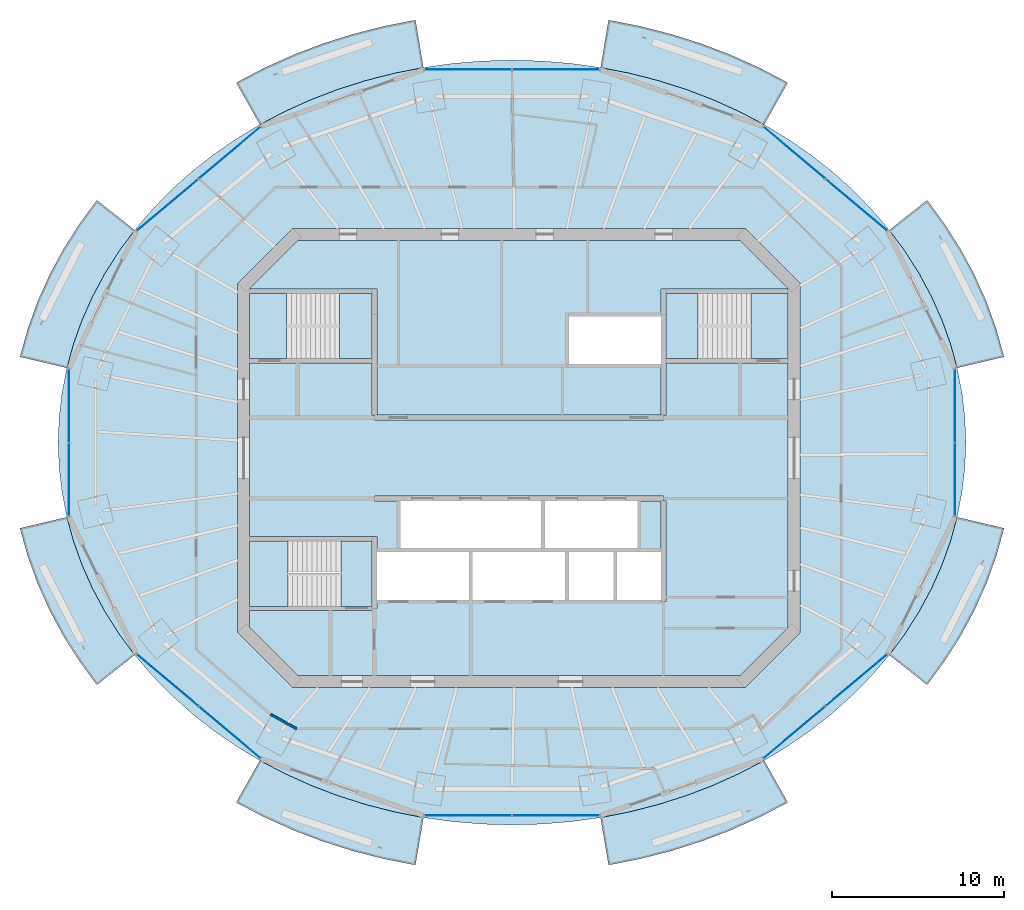
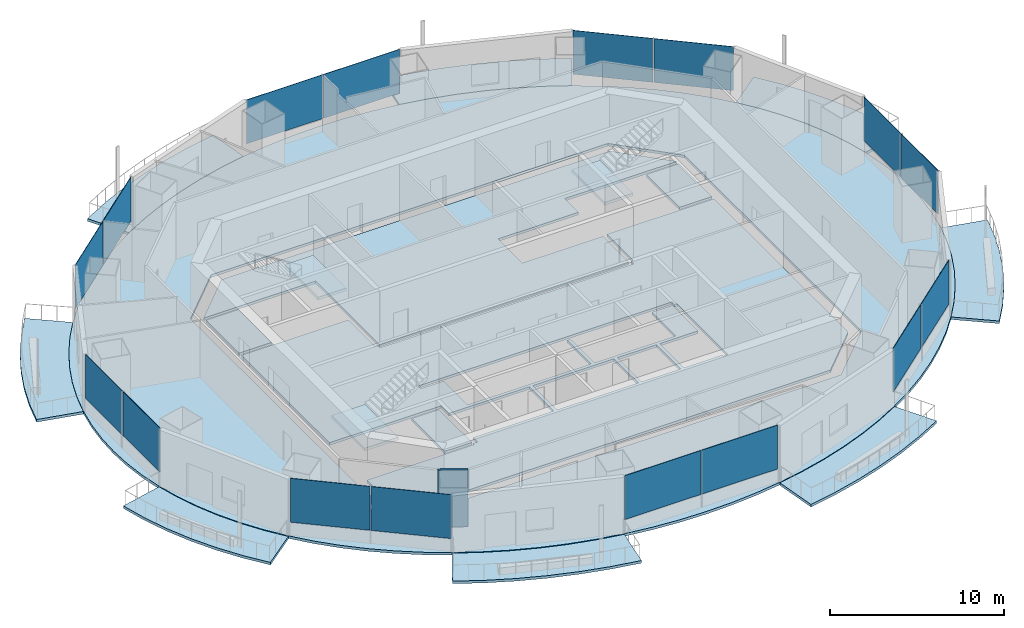
# One storey, part 7 of 16: 17 slabs, 16 plates, 1 wall, 11 elements without a shape of their own.
"""IFC4 building model written with IfcOpenShell, lengths in metres."""

from ifc_helpers import new_model, si_unit, direction, frame, frame_2d, origin, origin_2d, place, context, subcontext, project, spatial, polyline, rectangle, outline, extrude, material, layer, layer_set, type_object, element, aggregate, save


model = new_model("IFC4")

# Units and contexts
model_context = context("Model", 3, precision=1e-05, world=origin(), true_north=direction((0.0, 1.0)))
body_context = subcontext(model_context, "Body", "Model", "MODEL_VIEW")
ifc_project = project(units=[si_unit("LENGTHUNIT", "METRE"), si_unit("AREAUNIT", "SQUARE_METRE"), si_unit("VOLUMEUNIT", "CUBIC_METRE"), si_unit("PLANEANGLEUNIT", "RADIAN"), si_unit("MASSUNIT", "GRAM", prefix="KILO")], contexts=[model_context])

# Site, building, storey
site_placement = place(None, origin())
site = spatial("IfcSite", under=ifc_project, at=site_placement, CompositionType="ELEMENT")
building_placement = place(site_placement, origin())
building = spatial("IfcBuilding", under=site, at=building_placement, Name="Marenthal Gate Tower", CompositionType="ELEMENT")
storey_placement = place(building_placement, frame((0.0, 0.0, 359.199951171875)))
storey = spatial("IfcBuildingStorey", under=building, at=storey_placement, Name="L81", CompositionType="ELEMENT", Elevation=359.199951171875)

# Slabs
ifc_material_1 = material(Name="Concrete 40 MPa", Category="concrete")
ifc_layer_1 = layer(ifc_material_1, 0.179931640625)
ifc_layer_set_1 = layer_set([ifc_layer_1], Name="Balcony deck 180")
slab_type_1 = type_object("IfcSlabType", Name="Balcony deck 180", PredefinedType="USERDEFINED", material=ifc_layer_set_1)
slab_1_placement = place(storey_placement, frame((0.0, 0.0, -0.219970703125)))
element("IfcSlab", 1, at=slab_1_placement, inside=storey, type_object=slab_type_1, Name="Balcony deck L81 bay 1", ObjectType="BALCONY", PredefinedType="USERDEFINED", context=body_context, shape_type="SweptSolid", body=[
    extrude(outline(polyline([(25.47802734375, 5.237060546875), (25.0859375, 6.65380859375), (24.584716796875, 8.0458984375), (23.9765625, 9.407470703125), (23.263916015625, 10.732421875), (22.4501953125, 12.015380859375), (21.538330078125, 13.2509765625), (23.732177734375, 14.99072265625), (24.759765625, 13.59814453125), (25.680419921875, 12.14697265625), (26.4892578125, 10.642822265625), (27.181884765625, 9.09228515625), (27.75439453125, 7.50244140625), (28.203125, 5.88037109375), (25.47802734375, 5.237060546875)])), origin(), (0.0, 0.0, 1.0), 0.179931640625),
])
slab_2_placement = place(storey_placement, frame((0.0, 0.0, -0.219970703125)))
element("IfcSlab", 2, at=slab_2_placement, inside=storey, type_object=slab_type_1, Name="Balcony deck L81 bay 3", ObjectType="BALCONY", PredefinedType="USERDEFINED", context=body_context, shape_type="SweptSolid", body=[
    extrude(outline(polyline([(14.2587890625, 19.384521484375), (12.79248046875, 20.152587890625), (11.269775390625, 20.83837890625), (9.697021484375, 21.438720703125), (8.081298828125, 21.951171875), (6.428955078125, 22.37353515625), (4.74755859375, 22.703857421875), (5.210205078125, 25.46533203125), (7.04541015625, 25.104736328125), (8.85107421875, 24.643310546875), (10.61962890625, 24.08251953125), (12.34423828125, 23.424072265625), (14.017333984375, 22.67041015625), (15.63232421875, 21.82421875), (14.2587890625, 19.384521484375)])), origin(), (0.0, 0.0, 1.0), 0.179931640625),
])
slab_3_placement = place(storey_placement, frame((0.0, 0.0, -0.219970703125)))
element("IfcSlab", 3, at=slab_3_placement, inside=storey, type_object=slab_type_1, Name="Balcony deck L81 bay 5", ObjectType="BALCONY", PredefinedType="USERDEFINED", context=body_context, shape_type="SweptSolid", body=[
    extrude(outline(polyline([(-5.547607421875, 22.703857421875), (-7.22900390625, 22.37353515625), (-8.881103515625, 21.951171875), (-10.4970703125, 21.438720703125), (-12.06982421875, 20.83837890625), (-13.592529296875, 20.152587890625), (-15.05859375, 19.384521484375), (-16.432373046875, 21.82421875), (-14.8173828125, 22.67041015625), (-13.14404296875, 23.424072265625), (-11.419677734375, 24.08251953125), (-9.651123046875, 24.643310546875), (-7.845458984375, 25.104736328125), (-6.01025390625, 25.46533203125), (-5.547607421875, 22.703857421875)])), origin(), (0.0, 0.0, 1.0), 0.179931640625),
])
slab_4_placement = place(storey_placement, frame((0.0, 0.0, -0.219970703125)))
element("IfcSlab", 4, at=slab_4_placement, inside=storey, type_object=slab_type_1, Name="Balcony deck L81 bay 7", ObjectType="BALCONY", PredefinedType="USERDEFINED", context=body_context, shape_type="SweptSolid", body=[
    extrude(outline(polyline([(-22.33837890625, 13.2509765625), (-23.25, 12.015380859375), (-24.06396484375, 10.732421875), (-24.776611328125, 9.407470703125), (-25.384765625, 8.0458984375), (-25.885986328125, 6.65380859375), (-26.278076171875, 5.237060546875), (-29.003173828125, 5.88037109375), (-28.55419921875, 7.50244140625), (-27.98193359375, 9.09228515625), (-27.289306640625, 10.642822265625), (-26.48046875, 12.14697265625), (-25.559814453125, 13.59814453125), (-24.5322265625, 14.99072265625), (-22.33837890625, 13.2509765625)])), origin(), (0.0, 0.0, 1.0), 0.179931640625),
])
slab_5_placement = place(storey_placement, frame((0.0, 0.0, -0.219970703125)))
element("IfcSlab", 5, at=slab_5_placement, inside=storey, type_object=slab_type_1, Name="Balcony deck L81 bay 9", ObjectType="BALCONY", PredefinedType="USERDEFINED", context=body_context, shape_type="SweptSolid", body=[
    extrude(outline(polyline([(-26.278076171875, -3.43701171875), (-25.885986328125, -4.853759765625), (-25.384765625, -6.245849609375), (-24.776611328125, -7.607421875), (-24.06396484375, -8.9326171875), (-23.25, -10.215576171875), (-22.33837890625, -11.450927734375), (-24.5322265625, -13.190673828125), (-25.559814453125, -11.79833984375), (-26.48046875, -10.346923828125), (-27.289306640625, -8.8427734375), (-27.98193359375, -7.292236328125), (-28.55419921875, -5.702392578125), (-29.003173828125, -4.08056640625), (-26.278076171875, -3.43701171875)])), origin(), (0.0, 0.0, 1.0), 0.179931640625),
])
slab_6_placement = place(storey_placement, frame((0.0, 0.0, -0.219970703125)))
element("IfcSlab", 6, at=slab_6_placement, inside=storey, type_object=slab_type_1, Name="Balcony deck L81 bay 11", ObjectType="BALCONY", PredefinedType="USERDEFINED", context=body_context, shape_type="SweptSolid", body=[
    extrude(outline(polyline([(-15.05859375, -17.58447265625), (-13.592529296875, -18.3525390625), (-12.06982421875, -19.038330078125), (-10.4970703125, -19.638916015625), (-8.881103515625, -20.151123046875), (-7.22900390625, -20.573486328125), (-5.547607421875, -20.90380859375), (-6.01025390625, -23.665283203125), (-7.845458984375, -23.3046875), (-9.651123046875, -22.84326171875), (-11.419677734375, -22.282470703125), (-13.14404296875, -21.6240234375), (-14.8173828125, -20.87060546875), (-16.432373046875, -20.0244140625), (-15.05859375, -17.58447265625)])), origin(), (0.0, 0.0, 1.0), 0.179931640625),
])
slab_7_placement = place(storey_placement, frame((0.0, 0.0, -0.219970703125)))
element("IfcSlab", 7, at=slab_7_placement, inside=storey, type_object=slab_type_1, Name="Balcony deck L81 bay 13", ObjectType="BALCONY", PredefinedType="USERDEFINED", context=body_context, shape_type="SweptSolid", body=[
    extrude(outline(polyline([(4.74755859375, -20.90380859375), (6.428955078125, -20.573486328125), (8.081298828125, -20.151123046875), (9.697021484375, -19.638916015625), (11.269775390625, -19.038330078125), (12.79248046875, -18.3525390625), (14.2587890625, -17.58447265625), (15.63232421875, -20.0244140625), (14.017333984375, -20.87060546875), (12.34423828125, -21.6240234375), (10.61962890625, -22.282470703125), (8.85107421875, -22.84326171875), (7.04541015625, -23.3046875), (5.210205078125, -23.665283203125), (4.74755859375, -20.90380859375)])), origin(), (0.0, 0.0, 1.0), 0.179931640625),
])
slab_8_placement = place(storey_placement, frame((0.0, 0.0, -0.219970703125)))
element("IfcSlab", 8, at=slab_8_placement, inside=storey, type_object=slab_type_1, Name="Balcony deck L81 bay 15", ObjectType="BALCONY", PredefinedType="USERDEFINED", context=body_context, shape_type="SweptSolid", body=[
    extrude(outline(polyline([(21.538330078125, -11.450927734375), (22.4501953125, -10.215576171875), (23.263916015625, -8.9326171875), (23.9765625, -7.607421875), (24.584716796875, -6.245849609375), (25.0859375, -4.853759765625), (25.47802734375, -3.43701171875), (28.203125, -4.08056640625), (27.75439453125, -5.702392578125), (27.181884765625, -7.292236328125), (26.4892578125, -8.8427734375), (25.680419921875, -10.346923828125), (24.759765625, -11.79833984375), (23.732177734375, -13.190673828125), (21.538330078125, -11.450927734375)])), origin(), (0.0, 0.0, 1.0), 0.179931640625),
])
ifc_material_2 = material(Name="Concrete 50 MPa", Category="concrete")
ifc_layer_2 = layer(ifc_material_2, 0.179931640625)
ifc_layer_set_2 = layer_set([ifc_layer_2], Name="Core floor slab 180")
slab_type_2 = type_object("IfcSlabType", Name="Core floor slab 180", PredefinedType="FLOOR", material=ifc_layer_set_2)
slab_9_placement = place(storey_placement, frame((0.0, 0.0, -0.179931640625)))
element("IfcSlab", 9, at=slab_9_placement, inside=storey, type_object=slab_type_2, Name="Core floor L81", PredefinedType="FLOOR", context=body_context, shape_type="SweptSolid", body=[
    extrude(outline(polyline([(12.85498046875, -12.64990234375), (-12.85498046875, -12.64990234375), (-15.64990234375, -9.85498046875), (-15.64990234375, -8.875), (-8.550048828125, -8.875), (-8.550048828125, -8.75), (-8.25, -8.75), (-8.25, -8.239990234375), (-5.60009765625, -8.239990234375), (-2.909912109375, -8.239990234375), (-2.909912109375, -5.4599609375), (-5.60009765625, -5.4599609375), (-8.25, -5.4599609375), (-8.25, -4.574951171875), (-8.550048828125, -4.574951171875), (-15.64990234375, -4.574951171875), (-15.64990234375, 5.52490234375), (-8.550048828125, 5.52490234375), (-8.550048828125, 2.5), (-8.39990234375, 2.5), (-8.39990234375, 2.199951171875), (8.39990234375, 2.199951171875), (8.39990234375, 2.5), (8.550048828125, 2.5), (8.550048828125, 5.52490234375), (15.64990234375, 5.52490234375), (15.64990234375, -9.85498046875), (12.85498046875, -12.64990234375)]), holes=[polyline([(0.0, -8.239990234375), (2.68994140625, -8.239990234375), (2.68994140625, -5.4599609375), (0.0, -5.4599609375), (-2.68994140625, -5.4599609375), (-2.68994140625, -8.239990234375), (0.0, -8.239990234375)]), polyline([(1.2900390625, -5.239990234375), (1.2900390625, -2.5), (1.510009765625, -2.5), (1.510009765625, -5.239990234375), (4.199951171875, -5.239990234375), (6.889892578125, -5.239990234375), (6.889892578125, -2.5), (8.25, -2.5), (8.25, -5.4599609375), (5.7099609375, -5.4599609375), (5.7099609375, -8.239990234375), (8.25, -8.239990234375), (8.25, -8.35009765625), (8.550048828125, -8.35009765625), (8.550048828125, -2.5), (8.39990234375, -2.5), (8.39990234375, -2.199951171875), (-8.39990234375, -2.199951171875), (-8.39990234375, -2.5), (-6.889892578125, -2.5), (-6.889892578125, -5.239990234375), (-4.199951171875, -5.239990234375), (-1.39990234375, -5.239990234375), (1.2900390625, -5.239990234375)]), polyline([(5.489990234375, -5.4599609375), (2.909912109375, -5.4599609375), (2.909912109375, -8.239990234375), (5.489990234375, -8.239990234375), (5.489990234375, -5.4599609375)])]), origin(), (0.0, 0.0, 1.0), 0.179931640625),
])
slab_10_placement = place(storey_placement, frame((0.0, 0.0, -0.179931640625)))
element("IfcSlab", 10, at=slab_10_placement, inside=storey, type_object=slab_type_2, Name="Core floor L81", PredefinedType="FLOOR", context=body_context, shape_type="SweptSolid", body=[
    extrude(outline(polyline([(15.64990234375, 5.77490234375), (13.5, 5.77490234375), (13.5, 9.574951171875), (15.64990234375, 9.574951171875), (15.64990234375, 5.77490234375)])), origin(), (0.0, 0.0, 1.0), 0.179931640625),
])
slab_11_placement = place(storey_placement, frame((0.0, 0.0, -0.179931640625)))
element("IfcSlab", 11, at=slab_11_placement, inside=storey, type_object=slab_type_2, Name="Core floor L81", PredefinedType="FLOOR", context=body_context, shape_type="SweptSolid", body=[
    extrude(outline(polyline([(15.64990234375, 9.824951171875), (8.550048828125, 9.824951171875), (8.25, 9.824951171875), (8.25, 8.35009765625), (8.25, 8.239990234375), (5.60009765625, 8.239990234375), (2.909912109375, 8.239990234375), (2.909912109375, 5.4599609375), (5.60009765625, 5.4599609375), (8.25, 5.4599609375), (8.25, 2.5), (-8.25, 2.5), (-8.25, 8.35009765625), (-8.25, 9.824951171875), (-8.550048828125, 9.824951171875), (-15.64990234375, 9.824951171875), (-15.64990234375, 9.85498046875), (-12.85498046875, 12.64990234375), (12.85498046875, 12.64990234375), (15.64990234375, 9.85498046875), (15.64990234375, 9.824951171875)])), origin(), (0.0, 0.0, 1.0), 0.179931640625),
])
slab_12_placement = place(storey_placement, frame((0.0, 0.0, -0.179931640625)))
element("IfcSlab", 12, at=slab_12_placement, inside=storey, type_object=slab_type_2, Name="Core floor L81", PredefinedType="FLOOR", context=body_context, shape_type="SweptSolid", body=[
    extrude(outline(polyline([(-15.64990234375, 9.574951171875), (-13.5, 9.574951171875), (-13.5, 5.77490234375), (-15.64990234375, 5.77490234375), (-15.64990234375, 9.574951171875)])), origin(), (0.0, 0.0, 1.0), 0.179931640625),
])
slab_13_placement = place(storey_placement, frame((0.0, 0.0, -0.179931640625)))
element("IfcSlab", 13, at=slab_13_placement, inside=storey, type_object=slab_type_2, Name="Core floor L81", PredefinedType="FLOOR", context=body_context, shape_type="SweptSolid", body=[
    extrude(outline(polyline([(-8.550048828125, -4.824951171875), (-8.550048828125, -8.625), (-10.35009765625, -8.625), (-10.35009765625, -4.824951171875), (-8.550048828125, -4.824951171875)])), origin(), (0.0, 0.0, 1.0), 0.179931640625),
])
ifc_material_3 = material(Name="Concrete 35 MPa", Category="concrete")
ifc_layer_3 = layer(ifc_material_3, 0.179931640625)
ifc_layer_set_3 = layer_set([ifc_layer_3], Name="Floor slab 180")
slab_type_3 = type_object("IfcSlabType", Name="Floor slab 180", PredefinedType="FLOOR", material=ifc_layer_set_3)
slab_14_placement = place(storey_placement, frame((0.0, 0.0, -0.179931640625)))
element("IfcSlab", 14, at=slab_14_placement, inside=storey, type_object=slab_type_3, Name="SL-L81-01", PredefinedType="FLOOR", context=body_context, shape_type="SweptSolid", body=[
    extrude(outline(polyline([(25.985107421875, 0.89990234375), (25.928466796875, 2.35400390625), (25.75927734375, 3.8017578125), (25.47802734375, 5.237060546875), (25.0859375, 6.65380859375), (24.584716796875, 8.0458984375), (23.9765625, 9.407470703125), (23.263916015625, 10.732421875), (22.4501953125, 12.015380859375), (21.538330078125, 13.2509765625), (20.53271484375, 14.433349609375), (19.437255859375, 15.557861328125), (18.257080078125, 16.61962890625), (16.996826171875, 17.6142578125), (15.662109375, 18.537109375), (14.2587890625, 19.384521484375), (12.79248046875, 20.152587890625), (11.269775390625, 20.83837890625), (9.697021484375, 21.438720703125), (8.081298828125, 21.951171875), (6.428955078125, 22.37353515625), (4.74755859375, 22.703857421875), (3.0439453125, 22.94091796875), (1.32568359375, 23.08349609375), (-0.39990234375, 23.131103515625), (-2.125732421875, 23.08349609375), (-3.843994140625, 22.94091796875), (-5.547607421875, 22.703857421875), (-7.22900390625, 22.37353515625), (-8.881103515625, 21.951171875), (-10.4970703125, 21.438720703125), (-12.06982421875, 20.83837890625), (-13.592529296875, 20.152587890625), (-15.05859375, 19.384521484375), (-16.462158203125, 18.537109375), (-17.796875, 17.6142578125), (-19.056884765625, 16.61962890625), (-20.2373046875, 15.557861328125), (-21.33251953125, 14.433349609375), (-22.33837890625, 13.2509765625), (-23.25, 12.015380859375), (-24.06396484375, 10.732421875), (-24.776611328125, 9.407470703125), (-25.384765625, 8.0458984375), (-25.885986328125, 6.65380859375), (-26.278076171875, 5.237060546875), (-26.559326171875, 3.8017578125), (-26.728515625, 2.35400390625), (-26.784912109375, 0.89990234375), (-26.728515625, -0.553955078125), (-26.559326171875, -2.001708984375), (-26.278076171875, -3.43701171875), (-25.885986328125, -4.853759765625), (-25.384765625, -6.245849609375), (-24.776611328125, -7.607421875), (-24.06396484375, -8.9326171875), (-23.25, -10.215576171875), (-22.33837890625, -11.450927734375), (-21.33251953125, -12.63330078125), (-20.2373046875, -13.7578125), (-19.056884765625, -14.819580078125), (-17.796875, -15.814208984375), (-16.462158203125, -16.737060546875), (-15.05859375, -17.58447265625), (-13.592529296875, -18.3525390625), (-12.06982421875, -19.038330078125), (-10.4970703125, -19.638916015625), (-8.881103515625, -20.151123046875), (-7.22900390625, -20.573486328125), (-5.547607421875, -20.90380859375), (-3.843994140625, -21.140869140625), (-2.125732421875, -21.283447265625), (-0.39990234375, -21.3310546875), (1.32568359375, -21.283447265625), (3.0439453125, -21.140869140625), (4.74755859375, -20.90380859375), (6.428955078125, -20.573486328125), (8.081298828125, -20.151123046875), (9.697021484375, -19.638916015625), (11.269775390625, -19.038330078125), (12.79248046875, -18.3525390625), (14.2587890625, -17.58447265625), (15.662109375, -16.737060546875), (16.996826171875, -15.814208984375), (18.257080078125, -14.819580078125), (19.437255859375, -13.7578125), (20.53271484375, -12.63330078125), (21.538330078125, -11.450927734375), (22.4501953125, -10.215576171875), (23.263916015625, -8.9326171875), (23.9765625, -7.607421875), (24.584716796875, -6.245849609375), (25.0859375, -4.853759765625), (25.47802734375, -3.43701171875), (25.75927734375, -2.001708984375), (25.928466796875, -0.553955078125), (25.985107421875, 0.89990234375)]), holes=[polyline([(13.14501953125, -13.35009765625), (16.35009765625, -10.14501953125), (16.35009765625, 10.14501953125), (13.14501953125, 13.35009765625), (-13.14501953125, 13.35009765625), (-16.35009765625, 10.14501953125), (-16.35009765625, -10.14501953125), (-13.14501953125, -13.35009765625), (13.14501953125, -13.35009765625)])]), origin(), (0.0, 0.0, 1.0), 0.179931640625),
])

# Curtain wall, plates
ifc_material_4 = material(Name="Aluminium and glass", Category="aluminium")
curtain_wall_type = type_object("IfcCurtainWallType", Name="Curtain wall typical high", PredefinedType="NOTDEFINED", material=ifc_material_4)
curtain_wall_1_placement = place(storey_placement, origin())
curtain_wall_1 = element("IfcCurtainWall", 15, at=curtain_wall_1_placement, inside=storey, type_object=curtain_wall_type, Name="Curtain wall L81 bay 2", PredefinedType="NOTDEFINED")
ifc_material_5 = material(Name="Glass, laminated insulating unit", Category="glass")
ifc_layer_4 = layer(ifc_material_5, 0.031982421875)
ifc_layer_set_4 = layer_set([ifc_layer_4], Name="Glass panel 32 typical high")
plate_type = type_object("IfcPlateType", Name="Glass panel 32 typical high", PredefinedType="CURTAIN_PANEL", material=ifc_layer_set_4)
plate_1_placement = place(storey_placement, frame((19.615478515625, 14.718994140625, 0.89990234375), z_axis=(0.0, 0.0, 1.0), x_axis=(-0.765006459905, 0.644022605429, 0.0)))
plate_1 = element("IfcPlate", 16, at=plate_1_placement, type_object=plate_type, Name="Glass panel L81 bay 2.1", PredefinedType="CURTAIN_PANEL", context=body_context, shape_type="SweptSolid", body=[
    extrude(rectangle(XDim=4.646240234375, YDim=0.031982421875, at=origin_2d()), origin(), (0.0, 0.0, 1.0), 3.070068359375),
])
plate_2_placement = place(storey_placement, frame((16.01513671875, 17.749755859375, 0.89990234375), z_axis=(0.0, 0.0, 1.0), x_axis=(-0.765006459905, 0.644022605429, 0.0)))
plate_2 = element("IfcPlate", 17, at=plate_2_placement, type_object=plate_type, Name="Glass panel L81 bay 2.2", PredefinedType="CURTAIN_PANEL", context=body_context, shape_type="SweptSolid", body=[
    extrude(rectangle(XDim=4.64599609375, YDim=0.031982421875, at=origin_2d()), origin(), (0.0, 0.0, 1.0), 3.070068359375),
])
aggregate(curtain_wall_1, [plate_1, plate_2])

curtain_wall_2_placement = place(storey_placement, origin())
curtain_wall_2 = element("IfcCurtainWall", 18, at=curtain_wall_2_placement, inside=storey, type_object=curtain_wall_type, Name="Curtain wall L81 bay 4", PredefinedType="NOTDEFINED")
plate_3_placement = place(storey_placement, frame((2.14697265625, 22.586181640625, 0.89990234375), z_axis=(0.0, 0.0, 1.0), x_axis=(-1.0, 0.0, 0.0)))
plate_3 = element("IfcPlate", 19, at=plate_3_placement, type_object=plate_type, Name="Glass panel L81 bay 4.1", PredefinedType="CURTAIN_PANEL", context=body_context, shape_type="SweptSolid", body=[
    extrude(rectangle(XDim=5.033935546875, YDim=0.031982421875, at=origin_2d()), origin(), (0.0, 0.0, 1.0), 3.070068359375),
])
plate_4_placement = place(storey_placement, frame((-2.947021484375, 22.586181640625, 0.89990234375), z_axis=(0.0, 0.0, 1.0), x_axis=(-1.0, 0.0, 0.0)))
plate_4 = element("IfcPlate", 20, at=plate_4_placement, type_object=plate_type, Name="Glass panel L81 bay 4.2", PredefinedType="CURTAIN_PANEL", context=body_context, shape_type="SweptSolid", body=[
    extrude(rectangle(XDim=5.033935546875, YDim=0.031982421875, at=origin_2d()), origin(), (0.0, 0.0, 1.0), 3.070068359375),
])
aggregate(curtain_wall_2, [plate_3, plate_4])

curtain_wall_3_placement = place(storey_placement, origin())
curtain_wall_3 = element("IfcCurtainWall", 21, at=curtain_wall_3_placement, inside=storey, type_object=curtain_wall_type, Name="Curtain wall L81 bay 6", PredefinedType="NOTDEFINED")
plate_5_placement = place(storey_placement, frame((-16.815185546875, 17.749755859375, 0.89990234375), z_axis=(0.0, 0.0, 1.0), x_axis=(-0.765006459905, -0.644022605429, 0.0)))
plate_5 = element("IfcPlate", 22, at=plate_5_placement, type_object=plate_type, Name="Glass panel L81 bay 6.1", PredefinedType="CURTAIN_PANEL", context=body_context, shape_type="SweptSolid", body=[
    extrude(rectangle(XDim=4.646240234375, YDim=0.031982421875, at=origin_2d()), origin(), (0.0, 0.0, 1.0), 3.070068359375),
])
plate_6_placement = place(storey_placement, frame((-20.41552734375, 14.718994140625, 0.89990234375), z_axis=(0.0, 0.0, 1.0), x_axis=(-0.765006459905, -0.644022605429, 0.0)))
plate_6 = element("IfcPlate", 23, at=plate_6_placement, type_object=plate_type, Name="Glass panel L81 bay 6.2", PredefinedType="CURTAIN_PANEL", context=body_context, shape_type="SweptSolid", body=[
    extrude(rectangle(XDim=4.64599609375, YDim=0.031982421875, at=origin_2d()), origin(), (0.0, 0.0, 1.0), 3.070068359375),
])
aggregate(curtain_wall_3, [plate_5, plate_6])

curtain_wall_4_placement = place(storey_placement, origin())
curtain_wall_4 = element("IfcCurtainWall", 24, at=curtain_wall_4_placement, inside=storey, type_object=curtain_wall_type, Name="Curtain wall L81 bay 8", PredefinedType="NOTDEFINED")
plate_7_placement = place(storey_placement, frame((-26.160400390625, 3.041748046875, 0.89990234375), z_axis=(0.0, 0.0, 1.0), x_axis=(0.0, -1.0, 0.0)))
plate_7 = element("IfcPlate", 25, at=plate_7_placement, type_object=plate_type, Name="Glass panel L81 bay 8.1", PredefinedType="CURTAIN_PANEL", context=body_context, shape_type="SweptSolid", body=[
    extrude(rectangle(XDim=4.2236328125, YDim=0.031982421875, at=origin_2d()), origin(), (0.0, 0.0, 1.0), 3.070068359375),
])
plate_8_placement = place(storey_placement, frame((-26.160400390625, -1.24169921875, 0.89990234375), z_axis=(0.0, 0.0, 1.0), x_axis=(0.0, -1.0, 0.0)))
plate_8 = element("IfcPlate", 26, at=plate_8_placement, type_object=plate_type, Name="Glass panel L81 bay 8.2", PredefinedType="CURTAIN_PANEL", context=body_context, shape_type="SweptSolid", body=[
    extrude(rectangle(XDim=4.2236328125, YDim=0.031982421875, at=origin_2d()), origin(), (0.0, 0.0, 1.0), 3.070068359375),
])
aggregate(curtain_wall_4, [plate_7, plate_8])

curtain_wall_5_placement = place(storey_placement, origin())
curtain_wall_5 = element("IfcCurtainWall", 27, at=curtain_wall_5_placement, inside=storey, type_object=curtain_wall_type, Name="Curtain wall L81 bay 10", PredefinedType="NOTDEFINED")
plate_9_placement = place(storey_placement, frame((-20.41552734375, -12.9189453125, 0.89990234375), z_axis=(0.0, 0.0, 1.0), x_axis=(0.765006459905, -0.644022605429, 0.0)))
plate_9 = element("IfcPlate", 28, at=plate_9_placement, type_object=plate_type, Name="Glass panel L81 bay 10.1", PredefinedType="CURTAIN_PANEL", context=body_context, shape_type="SweptSolid", body=[
    extrude(rectangle(XDim=4.646240234375, YDim=0.031982421875, at=origin_2d()), origin(), (0.0, 0.0, 1.0), 3.070068359375),
])
plate_10_placement = place(storey_placement, frame((-16.815185546875, -15.949951171875, 0.89990234375), z_axis=(0.0, 0.0, 1.0), x_axis=(0.765006459905, -0.644022605429, 0.0)))
plate_10 = element("IfcPlate", 29, at=plate_10_placement, type_object=plate_type, Name="Glass panel L81 bay 10.2", PredefinedType="CURTAIN_PANEL", context=body_context, shape_type="SweptSolid", body=[
    extrude(rectangle(XDim=4.64599609375, YDim=0.031982421875, at=origin_2d()), origin(), (0.0, 0.0, 1.0), 3.070068359375),
])
aggregate(curtain_wall_5, [plate_9, plate_10])

curtain_wall_6_placement = place(storey_placement, origin())
curtain_wall_6 = element("IfcCurtainWall", 30, at=curtain_wall_6_placement, inside=storey, type_object=curtain_wall_type, Name="Curtain wall L81 bay 12", PredefinedType="NOTDEFINED")
plate_11_placement = place(storey_placement, frame((-2.947021484375, -20.7861328125, 0.89990234375), z_axis=(0.0, 0.0, 1.0), x_axis=(1.0, 0.0, 0.0)))
plate_11 = element("IfcPlate", 31, at=plate_11_placement, type_object=plate_type, Name="Glass panel L81 bay 12.1", PredefinedType="CURTAIN_PANEL", context=body_context, shape_type="SweptSolid", body=[
    extrude(rectangle(XDim=5.033935546875, YDim=0.031982421875, at=origin_2d()), origin(), (0.0, 0.0, 1.0), 3.070068359375),
])
plate_12_placement = place(storey_placement, frame((2.14697265625, -20.7861328125, 0.89990234375), z_axis=(0.0, 0.0, 1.0), x_axis=(1.0, 0.0, 0.0)))
plate_12 = element("IfcPlate", 32, at=plate_12_placement, type_object=plate_type, Name="Glass panel L81 bay 12.2", PredefinedType="CURTAIN_PANEL", context=body_context, shape_type="SweptSolid", body=[
    extrude(rectangle(XDim=5.033935546875, YDim=0.031982421875, at=origin_2d()), origin(), (0.0, 0.0, 1.0), 3.070068359375),
])
aggregate(curtain_wall_6, [plate_11, plate_12])

curtain_wall_7_placement = place(storey_placement, origin())
curtain_wall_7 = element("IfcCurtainWall", 33, at=curtain_wall_7_placement, inside=storey, type_object=curtain_wall_type, Name="Curtain wall L81 bay 14", PredefinedType="NOTDEFINED")
plate_13_placement = place(storey_placement, frame((16.01513671875, -15.949951171875, 0.89990234375), z_axis=(0.0, 0.0, 1.0), x_axis=(0.765006459905, 0.644022605429, 0.0)))
plate_13 = element("IfcPlate", 34, at=plate_13_placement, type_object=plate_type, Name="Glass panel L81 bay 14.1", PredefinedType="CURTAIN_PANEL", context=body_context, shape_type="SweptSolid", body=[
    extrude(rectangle(XDim=4.646240234375, YDim=0.031982421875, at=origin_2d()), origin(), (0.0, 0.0, 1.0), 3.070068359375),
])
plate_14_placement = place(storey_placement, frame((19.615478515625, -12.9189453125, 0.89990234375), z_axis=(0.0, 0.0, 1.0), x_axis=(0.765006459905, 0.644022605429, 0.0)))
plate_14 = element("IfcPlate", 35, at=plate_14_placement, type_object=plate_type, Name="Glass panel L81 bay 14.2", PredefinedType="CURTAIN_PANEL", context=body_context, shape_type="SweptSolid", body=[
    extrude(rectangle(XDim=4.64599609375, YDim=0.031982421875, at=origin_2d()), origin(), (0.0, 0.0, 1.0), 3.070068359375),
])
aggregate(curtain_wall_7, [plate_13, plate_14])

curtain_wall_8_placement = place(storey_placement, origin())
curtain_wall_8 = element("IfcCurtainWall", 36, at=curtain_wall_8_placement, inside=storey, type_object=curtain_wall_type, Name="Curtain wall L81 bay 16", PredefinedType="NOTDEFINED")
plate_15_placement = place(storey_placement, frame((25.3603515625, -1.24169921875, 0.89990234375), z_axis=(0.0, 0.0, 1.0), x_axis=(0.0, 1.0, 0.0)))
plate_15 = element("IfcPlate", 37, at=plate_15_placement, type_object=plate_type, Name="Glass panel L81 bay 16.1", PredefinedType="CURTAIN_PANEL", context=body_context, shape_type="SweptSolid", body=[
    extrude(rectangle(XDim=4.2236328125, YDim=0.031982421875, at=origin_2d()), origin(), (0.0, 0.0, 1.0), 3.070068359375),
])
plate_16_placement = place(storey_placement, frame((25.3603515625, 3.041748046875, 0.89990234375), z_axis=(0.0, 0.0, 1.0), x_axis=(0.0, 1.0, 0.0)))
plate_16 = element("IfcPlate", 38, at=plate_16_placement, type_object=plate_type, Name="Glass panel L81 bay 16.2", PredefinedType="CURTAIN_PANEL", context=body_context, shape_type="SweptSolid", body=[
    extrude(rectangle(XDim=4.2236328125, YDim=0.031982421875, at=origin_2d()), origin(), (0.0, 0.0, 1.0), 3.070068359375),
])
aggregate(curtain_wall_8, [plate_15, plate_16])

# Stair, slab
ifc_material_6 = material(Name="Concrete 40 MPa", Category="concrete")
stair_type = type_object("IfcStairType", Name="Exit stair 1800", PredefinedType="HALF_TURN_STAIR", material=ifc_material_6)
stair_1_placement = place(storey_placement, origin())
stair_1 = element("IfcStair", 39, at=stair_1_placement, inside=storey, type_object=stair_type, Name="Stair ST1", PredefinedType="HALF_TURN_STAIR")
ifc_material_7 = material(Name="Concrete 40 MPa", Category="concrete")
ifc_layer_5 = layer(ifc_material_7, 0.199951171875)
ifc_layer_set_5 = layer_set([ifc_layer_5], Name="Stair landing 200")
slab_type_4 = type_object("IfcSlabType", Name="Stair landing 200", PredefinedType="LANDING", material=ifc_layer_set_5)
slab_15_placement = place(storey_placement, frame((0.0, 0.0, 1.875)))
slab_15 = element("IfcSlab", 40, at=slab_15_placement, type_object=slab_type_4, Name="ST1 landing 1", PredefinedType="LANDING", context=body_context, shape_type="SweptSolid", body=[
    extrude(outline(polyline([(-10.419921875, 5.77490234375), (-8.550048828125, 5.77490234375), (-8.550048828125, 9.574951171875), (-10.419921875, 9.574951171875), (-10.419921875, 5.77490234375)])), origin(), (0.0, 0.0, 1.0), 0.199951171875),
])
aggregate(stair_1, [slab_15])

stair_2_placement = place(storey_placement, origin())
stair_2 = element("IfcStair", 41, at=stair_2_placement, inside=storey, type_object=stair_type, Name="Stair ST2", PredefinedType="HALF_TURN_STAIR")
slab_16_placement = place(storey_placement, frame((0.0, 0.0, 1.875)))
slab_16 = element("IfcSlab", 42, at=slab_16_placement, type_object=slab_type_4, Name="ST2 landing 1", PredefinedType="LANDING", context=body_context, shape_type="SweptSolid", body=[
    extrude(outline(polyline([(-15.64990234375, -8.625), (-13.429931640625, -8.625), (-13.429931640625, -4.824951171875), (-15.64990234375, -4.824951171875), (-15.64990234375, -8.625)])), origin(), (0.0, 0.0, 1.0), 0.199951171875),
])
aggregate(stair_2, [slab_16])

stair_3_placement = place(storey_placement, origin())
stair_3 = element("IfcStair", 43, at=stair_3_placement, inside=storey, type_object=stair_type, Name="Stair ST3", PredefinedType="HALF_TURN_STAIR")
slab_17_placement = place(storey_placement, frame((0.0, 0.0, 1.875)))
slab_17 = element("IfcSlab", 44, at=slab_17_placement, type_object=slab_type_4, Name="ST3 landing 1", PredefinedType="LANDING", context=body_context, shape_type="SweptSolid", body=[
    extrude(outline(polyline([(8.550048828125, 5.77490234375), (10.419921875, 5.77490234375), (10.419921875, 9.574951171875), (8.550048828125, 9.574951171875), (8.550048828125, 5.77490234375)])), origin(), (0.0, 0.0, 1.0), 0.199951171875),
])
aggregate(stair_3, [slab_17])

# Wall
ifc_material_8 = material(Name="Gypsum board on steel studs", Category="steel")
ifc_layer_6 = layer(ifc_material_8, 0.14990234375)
ifc_layer_set_6 = layer_set([ifc_layer_6], Name="Partition 150")
wall_type = type_object("IfcWallType", Name="Partition 150", PredefinedType="PARTITIONING", material=ifc_layer_set_6)
wall_placement = place(storey_placement, frame((-12.916015625, -15.75, 0.0), z_axis=(0.0, 0.0, 1.0), x_axis=(-0.87407797583, 0.485785644259, 0.0)))
element("IfcWall", 45, at=wall_placement, inside=storey, type_object=wall_type, Name="Partition wall 59", PredefinedType="PARTITIONING", context=body_context, shape_type="SweptSolid", body=[
    extrude(rectangle(XDim=1.742919921875, YDim=0.14990234375, at=frame_2d((0.87158203125, 0.0))), origin(), (0.0, 0.0, 1.0), 3.969970703125),
])

save(model, "model.ifc")
